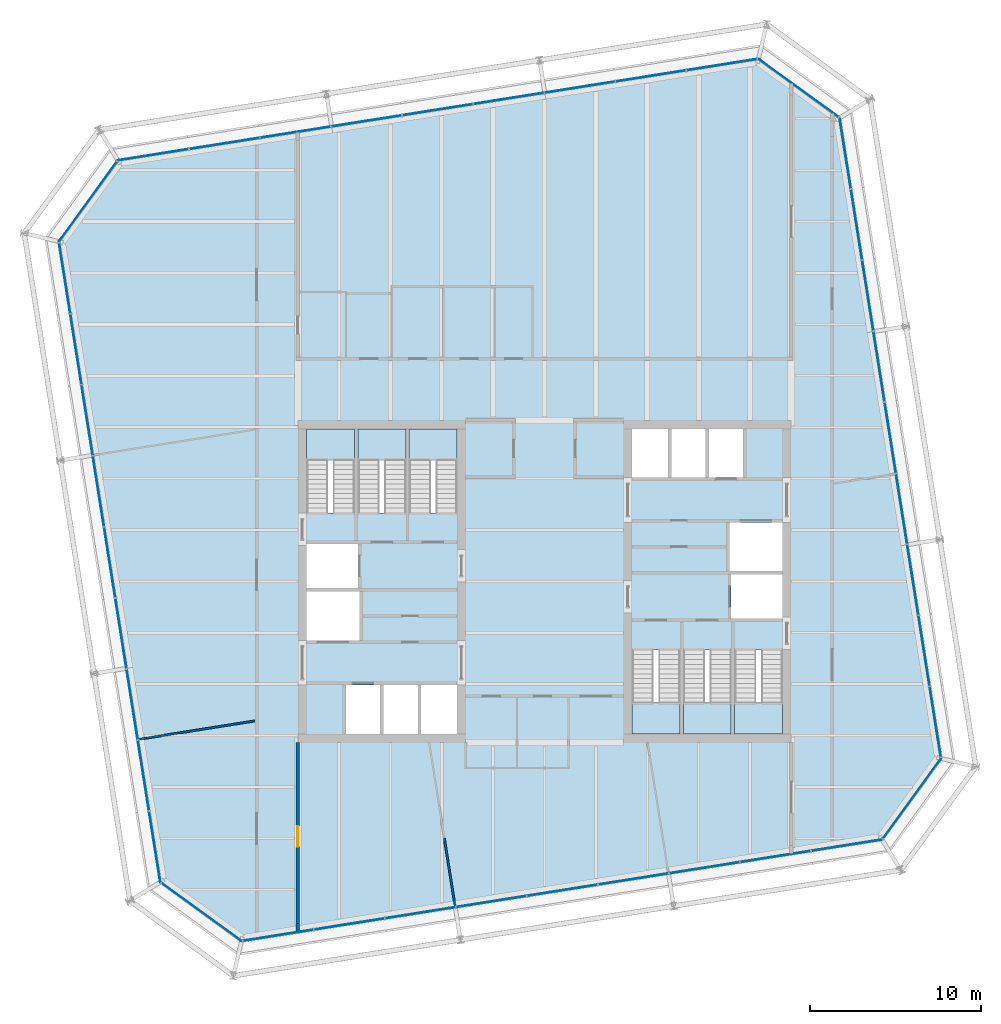
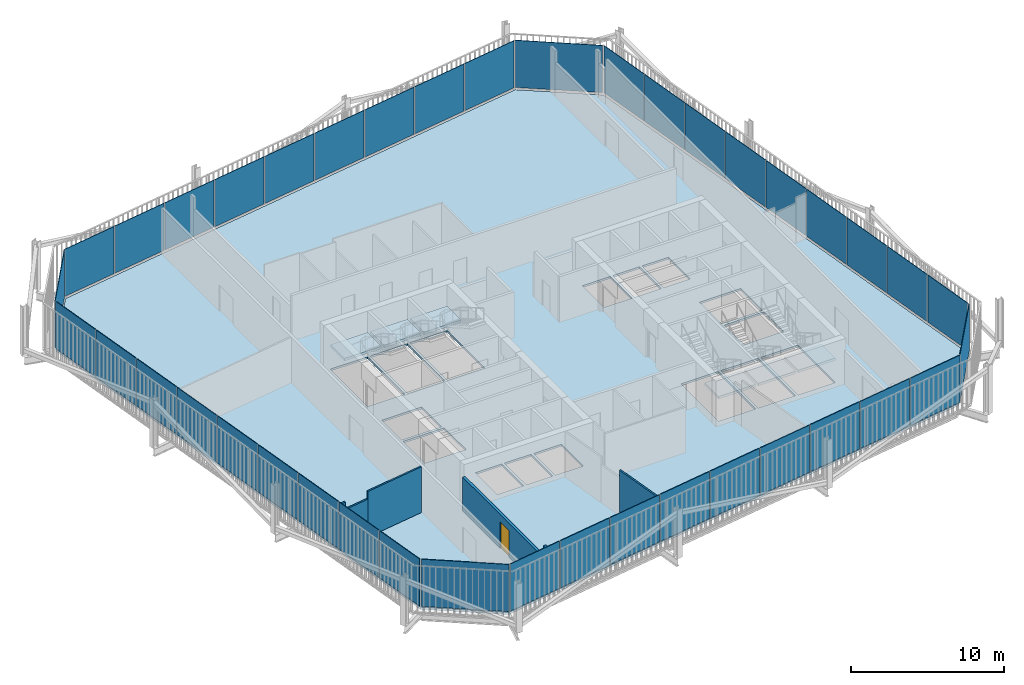
# One storey, part 16 of 21: 40 plates, 7 slabs, 6 walls, 1 door, 1 opening, 14 elements without a shape of their own.
"""IFC4 building model written with IfcOpenShell, lengths in metres."""

from ifc_helpers import new_model, si_unit, direction, frame, frame_2d, origin, place, context, subcontext, project, spatial, polyline, rectangle, outline, extrude, material, layer, layer_set, type_object, element, fill, aggregate, save


model = new_model("IFC4")

# Units and contexts
model_context = context("Model", 3, precision=1e-05, world=origin(), true_north=direction((0.0, 1.0)))
body_context = subcontext(model_context, "Body", "Model", "MODEL_VIEW")
ifc_project = project(units=[si_unit("LENGTHUNIT", "METRE"), si_unit("AREAUNIT", "SQUARE_METRE"), si_unit("VOLUMEUNIT", "CUBIC_METRE"), si_unit("PLANEANGLEUNIT", "RADIAN"), si_unit("MASSUNIT", "GRAM", prefix="KILO")], contexts=[model_context])

# Site, building, storey
site_placement = place(None, origin())
site = spatial("IfcSite", under=ifc_project, at=site_placement, CompositionType="ELEMENT")
building_placement = place(site_placement, origin())
building = spatial("IfcBuilding", under=site, at=building_placement, Name="Millrace Tower", CompositionType="ELEMENT")
storey_placement = place(building_placement, frame((0.0, 0.0, 263.0)))
storey = spatial("IfcBuildingStorey", under=building, at=storey_placement, Name="L60", CompositionType="ELEMENT", Elevation=263.0)

# Curtain wall, plate
ifc_material_1 = material(Name="Aluminium and glass", Category="aluminium")
ifc_layer_1 = layer(ifc_material_1, 0.14990234375)
ifc_layer_set_1 = layer_set([ifc_layer_1], Name="Aluminium and glass")
curtain_wall_type = type_object("IfcCurtainWallType", Name="CW-1 office vision curtain wall", PredefinedType="NOTDEFINED", material=ifc_layer_set_1)
placement_1 = place(storey_placement, origin())
curtain_wall_1 = element("IfcCurtainWall", 1, at=placement_1, inside=storey, type_object=curtain_wall_type, Name="Curtain wall D-F01 L60", PredefinedType="NOTDEFINED")
ifc_material_2 = material(Name="Glass", Category="glass")
ifc_layer_2 = layer(ifc_material_2, 0.0439453125)
ifc_layer_set_2 = layer_set([ifc_layer_2], Name="Glass")
plate_type = type_object("IfcPlateType", Name="CW-1 office vision curtain wall triple-glazed vision panel", PredefinedType="CURTAIN_PANEL", material=ifc_layer_set_2)
placement_2 = place(storey_placement, frame((0.0, 0.0, 0.139892578125)))
plate_1 = element("IfcPlate", 2, at=placement_2, type_object=plate_type, Name="CW1 panel D-F01.1", PredefinedType="CURTAIN_PANEL", context=body_context, shape_type="SweptSolid", body=[
    extrude(outline(polyline([(-22.36474609375, -17.632080078125), (-17.69384765625, -21.025634765625), (-17.6826171875, -20.979248046875), (-22.3388671875, -17.596435546875), (-22.36474609375, -17.632080078125)])), origin(), (0.0, 0.0, 1.0), 3.760009765625),
])
aggregate(curtain_wall_1, [plate_1])

# Curtain wall, plates
curtain_wall_2 = element("IfcCurtainWall", 3, at=placement_1, inside=storey, type_object=curtain_wall_type, Name="Curtain wall D-F02 L60", PredefinedType="NOTDEFINED")
plate_2 = element("IfcPlate", 4, at=placement_2, type_object=plate_type, Name="CW1 panel D-F02.1", PredefinedType="CURTAIN_PANEL", context=body_context, shape_type="SweptSolid", body=[
    extrude(outline(polyline([(-17.58984375, -21.009033203125), (-13.505859375, -20.3623046875), (-13.5126953125, -20.31884765625), (-17.596923828125, -20.965576171875), (-17.58984375, -21.009033203125)])), origin(), (0.0, 0.0, 1.0), 3.760009765625),
])
plate_3 = element("IfcPlate", 5, at=placement_2, type_object=plate_type, Name="CW1 panel D-F02.2", PredefinedType="CURTAIN_PANEL", context=body_context, shape_type="SweptSolid", body=[
    extrude(outline(polyline([(-13.441650390625, -20.35205078125), (-9.357666015625, -19.705078125), (-9.364501953125, -19.66162109375), (-13.448486328125, -20.30859375), (-13.441650390625, -20.35205078125)])), origin(), (0.0, 0.0, 1.0), 3.760009765625),
])
plate_4 = element("IfcPlate", 6, at=placement_2, type_object=plate_type, Name="CW1 panel D-F02.3", PredefinedType="CURTAIN_PANEL", context=body_context, shape_type="SweptSolid", body=[
    extrude(outline(polyline([(-9.29345703125, -19.695068359375), (-5.209228515625, -19.048095703125), (-5.216064453125, -19.004638671875), (-9.30029296875, -19.651611328125), (-9.29345703125, -19.695068359375)])), origin(), (0.0, 0.0, 1.0), 3.760009765625),
])
plate_5 = element("IfcPlate", 7, at=placement_2, type_object=plate_type, Name="CW1 panel D-F02.4", PredefinedType="CURTAIN_PANEL", context=body_context, shape_type="SweptSolid", body=[
    extrude(outline(polyline([(-5.14501953125, -19.0380859375), (-1.06103515625, -18.39111328125), (-1.06787109375, -18.34765625), (-5.15185546875, -18.99462890625), (-5.14501953125, -19.0380859375)])), origin(), (0.0, 0.0, 1.0), 3.760009765625),
])
plate_6 = element("IfcPlate", 8, at=placement_2, type_object=plate_type, Name="CW1 panel D-F02.5", PredefinedType="CURTAIN_PANEL", context=body_context, shape_type="SweptSolid", body=[
    extrude(outline(polyline([(-0.996826171875, -18.380859375), (3.08740234375, -17.734130859375), (3.080322265625, -17.690673828125), (-1.003662109375, -18.33740234375), (-0.996826171875, -18.380859375)])), origin(), (0.0, 0.0, 1.0), 3.760009765625),
])
plate_7 = element("IfcPlate", 9, at=placement_2, type_object=plate_type, Name="CW1 panel D-F02.6", PredefinedType="CURTAIN_PANEL", context=body_context, shape_type="SweptSolid", body=[
    extrude(outline(polyline([(3.151611328125, -17.723876953125), (7.235595703125, -17.0771484375), (7.228759765625, -17.03369140625), (3.14453125, -17.680419921875), (3.151611328125, -17.723876953125)])), origin(), (0.0, 0.0, 1.0), 3.760009765625),
])
plate_8 = element("IfcPlate", 10, at=placement_2, type_object=plate_type, Name="CW1 panel D-F02.7", PredefinedType="CURTAIN_PANEL", context=body_context, shape_type="SweptSolid", body=[
    extrude(outline(polyline([(7.2998046875, -17.06689453125), (11.3837890625, -16.420166015625), (11.376953125, -16.376708984375), (7.29296875, -17.0234375), (7.2998046875, -17.06689453125)])), origin(), (0.0, 0.0, 1.0), 3.760009765625),
])
plate_9 = element("IfcPlate", 11, at=placement_2, type_object=plate_type, Name="CW1 panel D-F02.8", PredefinedType="CURTAIN_PANEL", context=body_context, shape_type="SweptSolid", body=[
    extrude(outline(polyline([(11.447998046875, -16.409912109375), (15.5322265625, -15.762939453125), (15.525390625, -15.719482421875), (11.441162109375, -16.366455078125), (11.447998046875, -16.409912109375)])), origin(), (0.0, 0.0, 1.0), 3.760009765625),
])
plate_10 = element("IfcPlate", 12, at=placement_2, type_object=plate_type, Name="CW1 panel D-F02.9", PredefinedType="CURTAIN_PANEL", context=body_context, shape_type="SweptSolid", body=[
    extrude(outline(polyline([(15.596435546875, -15.7529296875), (19.72021484375, -15.099853515625), (19.6953125, -15.05908203125), (15.589599609375, -15.70947265625), (15.596435546875, -15.7529296875)])), origin(), (0.0, 0.0, 1.0), 3.760009765625),
])
aggregate(curtain_wall_2, [plate_2, plate_3, plate_4, plate_5, plate_6, plate_7, plate_8, plate_9, plate_10])

# Curtain wall, plate
curtain_wall_3 = element("IfcCurtainWall", 13, at=placement_1, inside=storey, type_object=curtain_wall_type, Name="Curtain wall D-F03 L60", PredefinedType="NOTDEFINED")
plate_11 = element("IfcPlate", 14, at=placement_2, type_object=plate_type, Name="CW1 panel D-F03.1", PredefinedType="CURTAIN_PANEL", context=body_context, shape_type="SweptSolid", body=[
    extrude(outline(polyline([(19.781982421875, -15.0146484375), (23.175537109375, -10.34375), (23.129150390625, -10.332763671875), (19.746337890625, -14.98876953125), (19.781982421875, -15.0146484375)])), origin(), (0.0, 0.0, 1.0), 3.760009765625),
])
aggregate(curtain_wall_3, [plate_11])

# Curtain wall, plates
curtain_wall_4 = element("IfcCurtainWall", 15, at=placement_1, inside=storey, type_object=curtain_wall_type, Name="Curtain wall D-F04 L60", PredefinedType="NOTDEFINED")
plate_12 = element("IfcPlate", 16, at=placement_2, type_object=plate_type, Name="CW1 panel D-F04.1", PredefinedType="CURTAIN_PANEL", context=body_context, shape_type="SweptSolid", body=[
    extrude(outline(polyline([(23.1591796875, -10.239990234375), (22.51220703125, -6.15576171875), (22.46875, -6.162841796875), (23.11572265625, -10.246826171875), (23.1591796875, -10.239990234375)])), origin(), (0.0, 0.0, 1.0), 3.760009765625),
])
plate_13 = element("IfcPlate", 17, at=placement_2, type_object=plate_type, Name="CW1 panel D-F04.2", PredefinedType="CURTAIN_PANEL", context=body_context, shape_type="SweptSolid", body=[
    extrude(outline(polyline([(22.501953125, -6.091552734375), (21.855224609375, -2.007568359375), (21.811767578125, -2.014404296875), (22.45849609375, -6.0986328125), (22.501953125, -6.091552734375)])), origin(), (0.0, 0.0, 1.0), 3.760009765625),
])
plate_14 = element("IfcPlate", 18, at=placement_2, type_object=plate_type, Name="CW1 panel D-F04.3", PredefinedType="CURTAIN_PANEL", context=body_context, shape_type="SweptSolid", body=[
    extrude(outline(polyline([(21.844970703125, -1.943359375), (21.1982421875, 2.140625), (21.15478515625, 2.1337890625), (21.801513671875, -1.9501953125), (21.844970703125, -1.943359375)])), origin(), (0.0, 0.0, 1.0), 3.760009765625),
])
plate_15 = element("IfcPlate", 19, at=placement_2, type_object=plate_type, Name="CW1 panel D-F04.4", PredefinedType="CURTAIN_PANEL", context=body_context, shape_type="SweptSolid", body=[
    extrude(outline(polyline([(21.18798828125, 2.204833984375), (20.541259765625, 6.2890625), (20.497802734375, 6.2822265625), (21.14453125, 2.197998046875), (21.18798828125, 2.204833984375)])), origin(), (0.0, 0.0, 1.0), 3.760009765625),
])
plate_16 = element("IfcPlate", 20, at=placement_2, type_object=plate_type, Name="CW1 panel D-F04.5", PredefinedType="CURTAIN_PANEL", context=body_context, shape_type="SweptSolid", body=[
    extrude(outline(polyline([(20.531005859375, 6.353271484375), (19.884033203125, 10.437255859375), (19.840576171875, 10.430419921875), (20.487548828125, 6.346435546875), (20.531005859375, 6.353271484375)])), origin(), (0.0, 0.0, 1.0), 3.760009765625),
])
plate_17 = element("IfcPlate", 21, at=placement_2, type_object=plate_type, Name="CW1 panel D-F04.6", PredefinedType="CURTAIN_PANEL", context=body_context, shape_type="SweptSolid", body=[
    extrude(outline(polyline([(19.8740234375, 10.50146484375), (19.22705078125, 14.585693359375), (19.18359375, 14.57861328125), (19.83056640625, 10.49462890625), (19.8740234375, 10.50146484375)])), origin(), (0.0, 0.0, 1.0), 3.760009765625),
])
plate_18 = element("IfcPlate", 22, at=placement_2, type_object=plate_type, Name="CW1 panel D-F04.7", PredefinedType="CURTAIN_PANEL", context=body_context, shape_type="SweptSolid", body=[
    extrude(outline(polyline([(19.217041015625, 14.64990234375), (18.570068359375, 18.73388671875), (18.526611328125, 18.72705078125), (19.173583984375, 14.642822265625), (19.217041015625, 14.64990234375)])), origin(), (0.0, 0.0, 1.0), 3.760009765625),
])
plate_19 = element("IfcPlate", 23, at=placement_2, type_object=plate_type, Name="CW1 panel D-F04.8", PredefinedType="CURTAIN_PANEL", context=body_context, shape_type="SweptSolid", body=[
    extrude(outline(polyline([(18.559814453125, 18.798095703125), (17.9130859375, 22.882080078125), (17.86962890625, 22.875244140625), (18.516357421875, 18.791259765625), (18.559814453125, 18.798095703125)])), origin(), (0.0, 0.0, 1.0), 3.760009765625),
])
plate_20 = element("IfcPlate", 24, at=placement_2, type_object=plate_type, Name="CW1 panel D-F04.9", PredefinedType="CURTAIN_PANEL", context=body_context, shape_type="SweptSolid", body=[
    extrude(outline(polyline([(17.90283203125, 22.9462890625), (17.249755859375, 27.070068359375), (17.209228515625, 27.045166015625), (17.859375, 22.939453125), (17.90283203125, 22.9462890625)])), origin(), (0.0, 0.0, 1.0), 3.760009765625),
])
aggregate(curtain_wall_4, [plate_12, plate_13, plate_14, plate_15, plate_16, plate_17, plate_18, plate_19, plate_20])

# Curtain wall, plate
curtain_wall_5 = element("IfcCurtainWall", 25, at=placement_1, inside=storey, type_object=curtain_wall_type, Name="Curtain wall D-F05 L60", PredefinedType="NOTDEFINED")
plate_21 = element("IfcPlate", 26, at=placement_2, type_object=plate_type, Name="CW1 panel D-F05.1", PredefinedType="CURTAIN_PANEL", context=body_context, shape_type="SweptSolid", body=[
    extrude(outline(polyline([(17.16455078125, 27.132080078125), (12.493896484375, 30.525634765625), (12.482666015625, 30.479248046875), (17.138671875, 27.096435546875), (17.16455078125, 27.132080078125)])), origin(), (0.0, 0.0, 1.0), 3.760009765625),
])
aggregate(curtain_wall_5, [plate_21])

# Curtain wall, plates
curtain_wall_6 = element("IfcCurtainWall", 27, at=placement_1, inside=storey, type_object=curtain_wall_type, Name="Curtain wall D-F06 L60", PredefinedType="NOTDEFINED")
plate_22 = element("IfcPlate", 28, at=placement_2, type_object=plate_type, Name="CW1 panel D-F06.1", PredefinedType="CURTAIN_PANEL", context=body_context, shape_type="SweptSolid", body=[
    extrude(outline(polyline([(12.389892578125, 30.509033203125), (8.305908203125, 29.8623046875), (8.312744140625, 29.81884765625), (12.396728515625, 30.465576171875), (12.389892578125, 30.509033203125)])), origin(), (0.0, 0.0, 1.0), 3.760009765625),
])
plate_23 = element("IfcPlate", 29, at=placement_2, type_object=plate_type, Name="CW1 panel D-F06.2", PredefinedType="CURTAIN_PANEL", context=body_context, shape_type="SweptSolid", body=[
    extrude(outline(polyline([(8.24169921875, 29.85205078125), (4.157470703125, 29.205078125), (4.16455078125, 29.16162109375), (8.24853515625, 29.80859375), (8.24169921875, 29.85205078125)])), origin(), (0.0, 0.0, 1.0), 3.760009765625),
])
plate_24 = element("IfcPlate", 30, at=placement_2, type_object=plate_type, Name="CW1 panel D-F06.3", PredefinedType="CURTAIN_PANEL", context=body_context, shape_type="SweptSolid", body=[
    extrude(outline(polyline([(4.09326171875, 29.195068359375), (0.00927734375, 28.548095703125), (0.01611328125, 28.504638671875), (4.100341796875, 29.151611328125), (4.09326171875, 29.195068359375)])), origin(), (0.0, 0.0, 1.0), 3.760009765625),
])
plate_25 = element("IfcPlate", 31, at=placement_2, type_object=plate_type, Name="CW1 panel D-F06.4", PredefinedType="CURTAIN_PANEL", context=body_context, shape_type="SweptSolid", body=[
    extrude(outline(polyline([(-0.054931640625, 28.5380859375), (-4.138916015625, 27.89111328125), (-4.132080078125, 27.84765625), (-0.048095703125, 28.49462890625), (-0.054931640625, 28.5380859375)])), origin(), (0.0, 0.0, 1.0), 3.760009765625),
])
plate_26 = element("IfcPlate", 32, at=placement_2, type_object=plate_type, Name="CW1 panel D-F06.5", PredefinedType="CURTAIN_PANEL", context=body_context, shape_type="SweptSolid", body=[
    extrude(outline(polyline([(-4.203125, 27.880859375), (-8.287353515625, 27.234130859375), (-8.280517578125, 27.190673828125), (-4.1962890625, 27.83740234375), (-4.203125, 27.880859375)])), origin(), (0.0, 0.0, 1.0), 3.760009765625),
])
plate_27 = element("IfcPlate", 33, at=placement_2, type_object=plate_type, Name="CW1 panel D-F06.6", PredefinedType="CURTAIN_PANEL", context=body_context, shape_type="SweptSolid", body=[
    extrude(outline(polyline([(-8.3515625, 27.223876953125), (-12.435546875, 26.5771484375), (-12.4287109375, 26.53369140625), (-8.3447265625, 27.180419921875), (-8.3515625, 27.223876953125)])), origin(), (0.0, 0.0, 1.0), 3.760009765625),
])
plate_28 = element("IfcPlate", 34, at=placement_2, type_object=plate_type, Name="CW1 panel D-F06.7", PredefinedType="CURTAIN_PANEL", context=body_context, shape_type="SweptSolid", body=[
    extrude(outline(polyline([(-12.499755859375, 26.56689453125), (-16.583984375, 25.920166015625), (-16.576904296875, 25.876708984375), (-12.492919921875, 26.5234375), (-12.499755859375, 26.56689453125)])), origin(), (0.0, 0.0, 1.0), 3.760009765625),
])
plate_29 = element("IfcPlate", 35, at=placement_2, type_object=plate_type, Name="CW1 panel D-F06.8", PredefinedType="CURTAIN_PANEL", context=body_context, shape_type="SweptSolid", body=[
    extrude(outline(polyline([(-16.648193359375, 25.909912109375), (-20.732177734375, 25.262939453125), (-20.725341796875, 25.219482421875), (-16.64111328125, 25.866455078125), (-16.648193359375, 25.909912109375)])), origin(), (0.0, 0.0, 1.0), 3.760009765625),
])
plate_30 = element("IfcPlate", 36, at=placement_2, type_object=plate_type, Name="CW1 panel D-F06.9", PredefinedType="CURTAIN_PANEL", context=body_context, shape_type="SweptSolid", body=[
    extrude(outline(polyline([(-20.79638671875, 25.2529296875), (-24.920166015625, 24.599853515625), (-24.895263671875, 24.55908203125), (-20.78955078125, 25.20947265625), (-20.79638671875, 25.2529296875)])), origin(), (0.0, 0.0, 1.0), 3.760009765625),
])
aggregate(curtain_wall_6, [plate_22, plate_23, plate_24, plate_25, plate_26, plate_27, plate_28, plate_29, plate_30])

# Curtain wall, plate
curtain_wall_7 = element("IfcCurtainWall", 37, at=placement_1, inside=storey, type_object=curtain_wall_type, Name="Curtain wall D-F07 L60", PredefinedType="NOTDEFINED")
plate_31 = element("IfcPlate", 38, at=placement_2, type_object=plate_type, Name="CW1 panel D-F07.1", PredefinedType="CURTAIN_PANEL", context=body_context, shape_type="SweptSolid", body=[
    extrude(outline(polyline([(-24.98193359375, 24.5146484375), (-28.37548828125, 19.84375), (-28.329345703125, 19.832763671875), (-24.9462890625, 24.48876953125), (-24.98193359375, 24.5146484375)])), origin(), (0.0, 0.0, 1.0), 3.760009765625),
])
aggregate(curtain_wall_7, [plate_31])

# Curtain wall, plates
curtain_wall_8 = element("IfcCurtainWall", 39, at=placement_1, inside=storey, type_object=curtain_wall_type, Name="Curtain wall D-F08 L60", PredefinedType="NOTDEFINED")
plate_32 = element("IfcPlate", 40, at=placement_2, type_object=plate_type, Name="CW1 panel D-F08.1", PredefinedType="CURTAIN_PANEL", context=body_context, shape_type="SweptSolid", body=[
    extrude(outline(polyline([(-28.359130859375, 19.739990234375), (-27.712158203125, 15.65576171875), (-27.668701171875, 15.662841796875), (-28.315673828125, 19.746826171875), (-28.359130859375, 19.739990234375)])), origin(), (0.0, 0.0, 1.0), 3.760009765625),
])
plate_33 = element("IfcPlate", 41, at=placement_2, type_object=plate_type, Name="CW1 panel D-F08.2", PredefinedType="CURTAIN_PANEL", context=body_context, shape_type="SweptSolid", body=[
    extrude(outline(polyline([(-27.7021484375, 15.591552734375), (-27.05517578125, 11.507568359375), (-27.01171875, 11.514404296875), (-27.65869140625, 15.5986328125), (-27.7021484375, 15.591552734375)])), origin(), (0.0, 0.0, 1.0), 3.760009765625),
])
plate_34 = element("IfcPlate", 42, at=placement_2, type_object=plate_type, Name="CW1 panel D-F08.3", PredefinedType="CURTAIN_PANEL", context=body_context, shape_type="SweptSolid", body=[
    extrude(outline(polyline([(-27.044921875, 11.443359375), (-26.398193359375, 7.359375), (-26.354736328125, 7.3662109375), (-27.00146484375, 11.4501953125), (-27.044921875, 11.443359375)])), origin(), (0.0, 0.0, 1.0), 3.760009765625),
])
plate_35 = element("IfcPlate", 43, at=placement_2, type_object=plate_type, Name="CW1 panel D-F08.4", PredefinedType="CURTAIN_PANEL", context=body_context, shape_type="SweptSolid", body=[
    extrude(outline(polyline([(-26.387939453125, 7.295166015625), (-25.7412109375, 3.2109375), (-25.69775390625, 3.2177734375), (-26.344482421875, 7.302001953125), (-26.387939453125, 7.295166015625)])), origin(), (0.0, 0.0, 1.0), 3.760009765625),
])
plate_36 = element("IfcPlate", 44, at=placement_2, type_object=plate_type, Name="CW1 panel D-F08.5", PredefinedType="CURTAIN_PANEL", context=body_context, shape_type="SweptSolid", body=[
    extrude(outline(polyline([(-25.73095703125, 3.146728515625), (-25.084228515625, -0.937255859375), (-25.040771484375, -0.930419921875), (-25.6875, 3.153564453125), (-25.73095703125, 3.146728515625)])), origin(), (0.0, 0.0, 1.0), 3.760009765625),
])
plate_37 = element("IfcPlate", 45, at=placement_2, type_object=plate_type, Name="CW1 panel D-F08.6", PredefinedType="CURTAIN_PANEL", context=body_context, shape_type="SweptSolid", body=[
    extrude(outline(polyline([(-25.073974609375, -1.00146484375), (-24.427001953125, -5.085693359375), (-24.383544921875, -5.07861328125), (-25.030517578125, -0.99462890625), (-25.073974609375, -1.00146484375)])), origin(), (0.0, 0.0, 1.0), 3.760009765625),
])
plate_38 = element("IfcPlate", 46, at=placement_2, type_object=plate_type, Name="CW1 panel D-F08.7", PredefinedType="CURTAIN_PANEL", context=body_context, shape_type="SweptSolid", body=[
    extrude(outline(polyline([(-24.4169921875, -5.14990234375), (-23.77001953125, -9.23388671875), (-23.7265625, -9.22705078125), (-24.37353515625, -5.142822265625), (-24.4169921875, -5.14990234375)])), origin(), (0.0, 0.0, 1.0), 3.760009765625),
])
plate_39 = element("IfcPlate", 47, at=placement_2, type_object=plate_type, Name="CW1 panel D-F08.8", PredefinedType="CURTAIN_PANEL", context=body_context, shape_type="SweptSolid", body=[
    extrude(outline(polyline([(-23.760009765625, -9.298095703125), (-23.113037109375, -13.382080078125), (-23.069580078125, -13.375244140625), (-23.716552734375, -9.291259765625), (-23.760009765625, -9.298095703125)])), origin(), (0.0, 0.0, 1.0), 3.760009765625),
])
plate_40 = element("IfcPlate", 48, at=placement_2, type_object=plate_type, Name="CW1 panel D-F08.9", PredefinedType="CURTAIN_PANEL", context=body_context, shape_type="SweptSolid", body=[
    extrude(outline(polyline([(-23.102783203125, -13.4462890625), (-22.44970703125, -17.570068359375), (-22.4091796875, -17.545166015625), (-23.059326171875, -13.439453125), (-23.102783203125, -13.4462890625)])), origin(), (0.0, 0.0, 1.0), 3.760009765625),
])
aggregate(curtain_wall_8, [plate_32, plate_33, plate_34, plate_35, plate_36, plate_37, plate_38, plate_39, plate_40])

# Slab
ifc_material_3 = material(Name="Concrete C35 on steel deck", Category="concrete")
ifc_layer_3 = layer(ifc_material_3, 0.159912109375)
ifc_layer_set_3 = layer_set([ifc_layer_3], Name="Concrete C35 on steel deck")
slab_type_1 = type_object("IfcSlabType", Name="Composite floor slab 160 mm", PredefinedType="FLOOR", material=ifc_layer_set_3)
slab_1_placement = place(storey_placement, frame((0.0, 0.0, -0.159912109375)))
element("IfcSlab", 49, at=slab_1_placement, inside=storey, type_object=slab_type_1, Name="SL-D-L60-S1", PredefinedType="FLOOR", context=body_context, shape_type="SweptSolid", body=[
    extrude(outline(polyline([(-22.360107421875, -17.515380859375), (-17.66943359375, -20.92333984375), (19.665283203125, -15.01025390625), (23.073486328125, -10.3193359375), (17.16015625, 27.015380859375), (12.46923828125, 30.42333984375), (-24.865234375, 24.51025390625), (-28.2734375, 19.8193359375), (-22.360107421875, -17.515380859375)]), holes=[polyline([(-11.60009765625, -8.89990234375), (-9.60009765625, -8.89990234375), (-9.60009765625, -6.050048828125), (-11.60009765625, -6.050048828125), (-11.60009765625, -8.89990234375)]), polyline([(-9.39990234375, -8.89990234375), (-7.39990234375, -8.89990234375), (-7.39990234375, -6.050048828125), (-9.39990234375, -6.050048828125), (-9.39990234375, -8.89990234375)]), polyline([(-7.199951171875, -8.89990234375), (-5.10009765625, -8.89990234375), (-5.10009765625, -6.050048828125), (-7.199951171875, -6.050048828125), (-7.199951171875, -8.89990234375)]), polyline([(-13.89990234375, -3.449951171875), (-10.800048828125, -3.449951171875), (-10.800048828125, -0.60009765625), (-13.89990234375, -0.60009765625), (-13.89990234375, -3.449951171875)]), polyline([(-13.89990234375, -0.39990234375), (-10.89990234375, -0.39990234375), (-10.89990234375, 2.179931640625), (-13.89990234375, 2.179931640625), (-13.89990234375, -0.39990234375)]), polyline([(-13.89990234375, 4.0), (-11.10009765625, 4.0), (-11.10009765625, 8.89990234375), (-13.89990234375, 8.89990234375), (-13.89990234375, 4.0)]), polyline([(-10.89990234375, 4.0), (-8.10009765625, 4.0), (-8.10009765625, 8.89990234375), (-10.89990234375, 8.89990234375), (-10.89990234375, 4.0)]), polyline([(-7.89990234375, 4.0), (-5.10009765625, 4.0), (-5.10009765625, 8.89990234375), (-7.89990234375, 8.89990234375), (-7.89990234375, 4.0)]), polyline([(9.60009765625, 6.050048828125), (11.60009765625, 6.050048828125), (11.60009765625, 8.89990234375), (9.60009765625, 8.89990234375), (9.60009765625, 6.050048828125)]), polyline([(7.39990234375, 6.050048828125), (9.39990234375, 6.050048828125), (9.39990234375, 8.89990234375), (7.39990234375, 8.89990234375), (7.39990234375, 6.050048828125)]), polyline([(5.10009765625, 6.050048828125), (7.199951171875, 6.050048828125), (7.199951171875, 8.89990234375), (5.10009765625, 8.89990234375), (5.10009765625, 6.050048828125)]), polyline([(10.800048828125, 0.60009765625), (13.89990234375, 0.60009765625), (13.89990234375, 3.449951171875), (10.800048828125, 3.449951171875), (10.800048828125, 0.60009765625)]), polyline([(10.89990234375, -2.179931640625), (13.89990234375, -2.179931640625), (13.89990234375, 0.39990234375), (10.89990234375, 0.39990234375), (10.89990234375, -2.179931640625)]), polyline([(11.10009765625, -8.89990234375), (13.89990234375, -8.89990234375), (13.89990234375, -4.0), (11.10009765625, -4.0), (11.10009765625, -8.89990234375)]), polyline([(8.10009765625, -8.89990234375), (10.89990234375, -8.89990234375), (10.89990234375, -4.0), (8.10009765625, -4.0), (8.10009765625, -8.89990234375)]), polyline([(5.10009765625, -8.89990234375), (7.89990234375, -8.89990234375), (7.89990234375, -4.0), (5.10009765625, -4.0), (5.10009765625, -8.89990234375)])]), origin(), (0.0, 0.0, 1.0), 0.159912109375),
])

# Stair, slab
ifc_material_4 = material(Name="Concrete C35", Category="concrete")
stair_type = type_object("IfcStairType", Name="Exit stair", PredefinedType="HALF_TURN_STAIR", material=ifc_material_4)
stair_1 = element("IfcStair", 50, at=placement_1, inside=storey, type_object=stair_type, Name="Stair 1 W L60", PredefinedType="HALF_TURN_STAIR")
ifc_material_5 = material(Name="Concrete C40", Category="concrete")
ifc_layer_4 = layer(ifc_material_5, 0.199951171875)
ifc_layer_set_4 = layer_set([ifc_layer_4], Name="Concrete C40")
slab_type_2 = type_object("IfcSlabType", Name="Stair landing", PredefinedType="LANDING", material=ifc_layer_set_4)
placement_3 = place(storey_placement, frame((0.0, 0.0, 1.75)))
slab_2 = element("IfcSlab", 51, at=placement_3, type_object=slab_type_2, Name="ST12 landing 1", PredefinedType="LANDING", context=body_context, shape_type="SweptSolid", body=[
    extrude(outline(polyline([(-13.89990234375, 7.080078125), (-11.10009765625, 7.080078125), (-11.10009765625, 8.89990234375), (-13.89990234375, 8.89990234375), (-13.89990234375, 7.080078125)])), origin(), (0.0, 0.0, 1.0), 0.199951171875),
])
aggregate(stair_1, [slab_2])

stair_2 = element("IfcStair", 52, at=placement_1, inside=storey, type_object=stair_type, Name="Stair 2 W L60", PredefinedType="HALF_TURN_STAIR")
slab_3 = element("IfcSlab", 53, at=placement_3, type_object=slab_type_2, Name="ST12 landing 1", PredefinedType="LANDING", context=body_context, shape_type="SweptSolid", body=[
    extrude(outline(polyline([(-10.89990234375, 7.080078125), (-8.10009765625, 7.080078125), (-8.10009765625, 8.89990234375), (-10.89990234375, 8.89990234375), (-10.89990234375, 7.080078125)])), origin(), (0.0, 0.0, 1.0), 0.199951171875),
])
aggregate(stair_2, [slab_3])

stair_3 = element("IfcStair", 54, at=placement_1, inside=storey, type_object=stair_type, Name="Stair 3 W L60", PredefinedType="HALF_TURN_STAIR")
slab_4 = element("IfcSlab", 55, at=placement_3, type_object=slab_type_2, Name="ST12 landing 1", PredefinedType="LANDING", context=body_context, shape_type="SweptSolid", body=[
    extrude(outline(polyline([(-7.89990234375, 7.080078125), (-5.10009765625, 7.080078125), (-5.10009765625, 8.89990234375), (-7.89990234375, 8.89990234375), (-7.89990234375, 7.080078125)])), origin(), (0.0, 0.0, 1.0), 0.199951171875),
])
aggregate(stair_3, [slab_4])

stair_4 = element("IfcStair", 56, at=placement_1, inside=storey, type_object=stair_type, Name="Stair 1 E L60", PredefinedType="HALF_TURN_STAIR")
slab_5 = element("IfcSlab", 57, at=placement_3, type_object=slab_type_2, Name="ST12 landing 1", PredefinedType="LANDING", context=body_context, shape_type="SweptSolid", body=[
    extrude(outline(polyline([(11.10009765625, -8.89990234375), (13.89990234375, -8.89990234375), (13.89990234375, -7.080078125), (11.10009765625, -7.080078125), (11.10009765625, -8.89990234375)])), origin(), (0.0, 0.0, 1.0), 0.199951171875),
])
aggregate(stair_4, [slab_5])

stair_5 = element("IfcStair", 58, at=placement_1, inside=storey, type_object=stair_type, Name="Stair 2 E L60", PredefinedType="HALF_TURN_STAIR")
slab_6 = element("IfcSlab", 59, at=placement_3, type_object=slab_type_2, Name="ST12 landing 1", PredefinedType="LANDING", context=body_context, shape_type="SweptSolid", body=[
    extrude(outline(polyline([(8.10009765625, -8.89990234375), (10.89990234375, -8.89990234375), (10.89990234375, -7.080078125), (8.10009765625, -7.080078125), (8.10009765625, -8.89990234375)])), origin(), (0.0, 0.0, 1.0), 0.199951171875),
])
aggregate(stair_5, [slab_6])

stair_6 = element("IfcStair", 60, at=placement_1, inside=storey, type_object=stair_type, Name="Stair 3 E L60", PredefinedType="HALF_TURN_STAIR")
slab_7 = element("IfcSlab", 61, at=placement_3, type_object=slab_type_2, Name="ST12 landing 1", PredefinedType="LANDING", context=body_context, shape_type="SweptSolid", body=[
    extrude(outline(polyline([(5.10009765625, -8.89990234375), (7.89990234375, -8.89990234375), (7.89990234375, -7.080078125), (5.10009765625, -7.080078125), (5.10009765625, -8.89990234375)])), origin(), (0.0, 0.0, 1.0), 0.199951171875),
])
aggregate(stair_6, [slab_7])

# Wall
ifc_material_6 = material(Name="Masonry partition, fire-rated", Category="masonry")
ifc_layer_5 = layer(ifc_material_6, 0.199951171875)
ifc_layer_set_5 = layer_set([ifc_layer_5], Name="Masonry partition, fire-rated")
wall_type_1 = type_object("IfcWallType", Name="Corridor wall 200", PredefinedType="PARTITIONING", material=ifc_layer_set_5)
wall_1_placement = place(storey_placement, frame((-14.39990234375, -20.43603515625, 0.0), z_axis=(0.0, 0.0, 1.0), x_axis=(0.0, 1.0, 0.0)))
element("IfcWall", 62, at=wall_1_placement, inside=storey, type_object=wall_type_1, Name="Corridor wall L60", PredefinedType="PARTITIONING", context=body_context, shape_type="SweptSolid", body=[
    extrude(rectangle(XDim=0.46533203125, YDim=0.199951171875, at=frame_2d((0.232666015625, 0.0))), origin(), (0.0, 0.0, 1.0), 3.64990234375),
])

# Wall, opening, door
wall_2_placement = place(storey_placement, frame((-14.39990234375, -19.970703125, 0.0), z_axis=(0.0, 0.0, 1.0), x_axis=(0.0, 1.0, 0.0)))
wall_2 = element("IfcWall", 63, at=wall_2_placement, inside=storey, type_object=wall_type_1, Name="Corridor wall L60", PredefinedType="PARTITIONING", context=body_context, shape_type="SweptSolid", body=[
    extrude(rectangle(XDim=10.57080078125, YDim=0.199951171875, at=frame_2d((5.285400390625, 0.0))), origin(), (0.0, 0.0, 1.0), 2.70263671875),
])
opening_placement = place(wall_2_placement, frame((4.478271484375, 0.0, 0.0)))
opening = element("IfcOpeningElement", 64, at=opening_placement, cuts=wall_2, Name="Opening 60-P011", PredefinedType="OPENING", context=body_context, shape_type="SweptSolid", body=[
    extrude(rectangle(XDim=1.199951171875, YDim=2.10009765625, at=frame_2d((0.60009765625, 1.050048828125))), frame((0.0, 0.10986328125, 0.0), z_axis=(0.0, -1.0, 0.0), x_axis=(1.0, 0.0, 0.0)), (0.0, 0.0, 1.0), 0.219970703125),
])
ifc_material_7 = material(Name="Steel door set, fire-rated", Category="steel")
door_type = type_object("IfcDoorType", Name="Corridor door 1200 x 2100", OperationType="SINGLE_SWING_LEFT", PredefinedType="DOOR", material=ifc_material_7)
door_placement = place(opening_placement, frame((1.199951171875, 0.0, 0.0), z_axis=(0.0, 0.0, 1.0), x_axis=(-1.0, 0.0, 0.0)))
door = element("IfcDoor", 65, at=door_placement, inside=storey, type_object=door_type, Name="Door 60-P011", OperationType="SINGLE_SWING_RIGHT", OverallHeight=2.10009765625, OverallWidth=1.199951171875, PredefinedType="DOOR", context=body_context, shape_type="SweptSolid", body=[
    extrude(rectangle(XDim=1.199951171875, YDim=2.10009765625, at=frame_2d((0.60009765625, 1.050048828125))), frame((0.0, 0.02490234375, 0.0), z_axis=(0.0, -1.0, 0.0), x_axis=(1.0, 0.0, 0.0)), (0.0, 0.0, 1.0), 0.050048828125),
])
fill(opening, door)

# Walls
ifc_material_8 = material(Name="Gypsum board partition")
ifc_layer_6 = layer(ifc_material_8, 0.1201171875)
ifc_layer_set_6 = layer_set([ifc_layer_6], Name="Gypsum board partition")
wall_type_2 = type_object("IfcWallType", Name="Partition wall 120", PredefinedType="PARTITIONING", material=ifc_layer_set_6)
wall_3_placement = place(storey_placement, frame((-5.851806640625, -14.99267578125, 0.0), z_axis=(0.0, 0.0, 1.0), x_axis=(0.15636605837, -0.987699172719, 0.0)))
element("IfcWall", 66, at=wall_3_placement, inside=storey, type_object=wall_type_2, Name="Partition wall L60", PredefinedType="PARTITIONING", context=body_context, shape_type="SweptSolid", body=[
    extrude(rectangle(XDim=4.039306640625, YDim=0.1201171875, at=frame_2d((2.01953125, 0.0))), origin(), (0.0, 0.0, 1.0), 3.64990234375),
])
wall_4_placement = place(storey_placement, frame((-23.703857421875, -9.2236328125, 0.0), z_axis=(0.0, 0.0, 1.0), x_axis=(0.987688969713, 0.156430492897, 0.0)))
element("IfcWall", 67, at=wall_4_placement, inside=storey, type_object=wall_type_2, Name="Partition wall L60", PredefinedType="PARTITIONING", context=body_context, shape_type="SweptSolid", body=[
    extrude(rectangle(XDim=0.482177734375, YDim=0.1201171875, at=frame_2d((0.2412109375, 0.0))), origin(), (0.0, 0.0, 1.0), 3.64990234375),
])
wall_5_placement = place(storey_placement, frame((-23.2275390625, -9.148193359375, 0.0), z_axis=(0.0, 0.0, 1.0), x_axis=(0.987698128174, 0.156372656182, 0.0)))
element("IfcWall", 68, at=wall_5_placement, inside=storey, type_object=wall_type_2, Name="Partition wall L60", PredefinedType="PARTITIONING", context=body_context, shape_type="SweptSolid", body=[
    extrude(rectangle(XDim=1.8955078125, YDim=0.1201171875, at=frame_2d((0.94775390625, 0.0))), origin(), (0.0, 0.0, 1.0), 3.050537109375),
])
wall_6_placement = place(storey_placement, frame((-21.35546875, -8.851806640625, 0.0), z_axis=(0.0, 0.0, 1.0), x_axis=(0.987682554694, 0.156470991409, 0.0)))
element("IfcWall", 69, at=wall_6_placement, inside=storey, type_object=wall_type_2, Name="Partition wall L60", PredefinedType="PARTITIONING", context=body_context, shape_type="SweptSolid", body=[
    extrude(rectangle(XDim=4.512451171875, YDim=0.1201171875, at=frame_2d((2.25634765625, 0.0))), origin(), (0.0, 0.0, 1.0), 3.64990234375),
])

save(model, "model.ifc")
